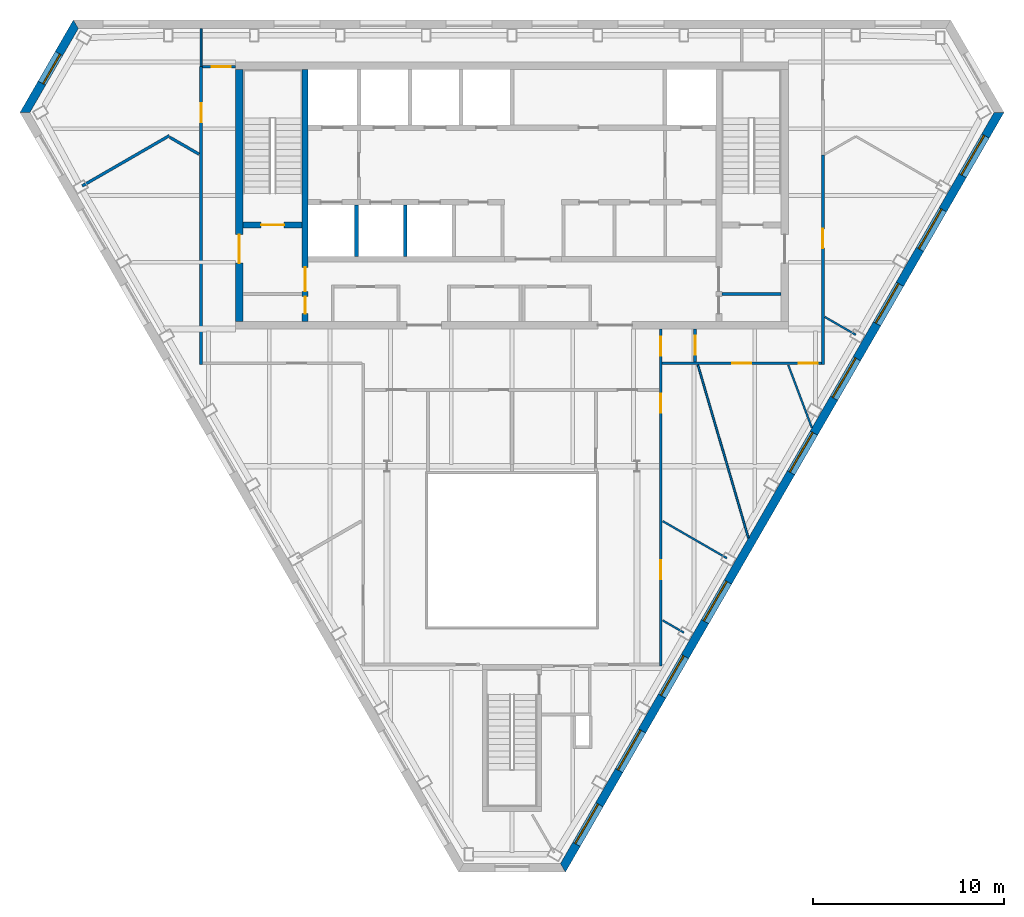
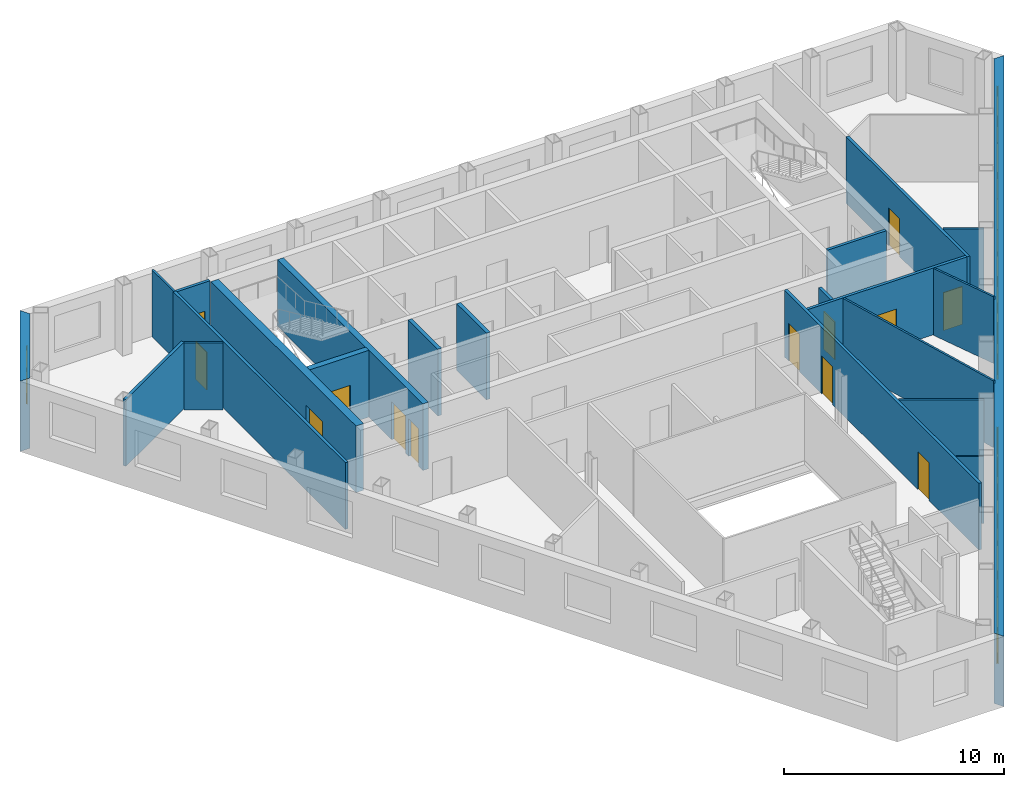
# One storey, part 5 of 10: 22 walls, 13 doors, 10 windows, 23 openings.
"""IFC4 building model written with IfcOpenShell, lengths in metres."""

import ifcopenshell
import ifcopenshell.guid

model = None  # the IFC model being written
_history = None  # IfcOwnerHistory: only IFC2X3 demands one
_inside = {}  # id of a spatial element -> (the spatial element, [elements in it])
_under = {}  # id of a project, library or spatial element -> (it, [spatial elements below it])
_declared = {}  # id of a project -> (the project, [libraries it declares])
_typed = {}  # id of a type object -> (the type object, [elements of that type])
_made_of = {}  # id of a material, layer set ... -> (it, [elements and type objects made of it])


def new_model(schema):
    """Start an empty IFC model of exactly this schema.

    Asked for "IFC4X3", IfcOpenShell would pick the latest addendum, in which some entities
    have other attributes; the version numbers below select the first issue.
    IFC2X3 requires an IfcOwnerHistory on every rooted entity: one is made here for all.
    """
    global model, _history
    if schema == "IFC4X3":
        model = ifcopenshell.file(schema_version=(4, 3, 0, 0))
    else:
        model = ifcopenshell.file(schema=schema)
    _inside.clear()
    _under.clear()
    _declared.clear()
    _typed.clear()
    _made_of.clear()
    _history = None
    if model.schema == "IFC2X3":
        org = make("IfcOrganization", Name="unknown")
        user = make(
            "IfcPersonAndOrganization",
            ThePerson=make("IfcPerson", FamilyName="unknown"),
            TheOrganization=org,
        )
        app = make(
            "IfcApplication",
            ApplicationDeveloper=org,
            Version="unknown",
            ApplicationFullName="unknown",
            ApplicationIdentifier="unknown",
        )
        _history = make(
            "IfcOwnerHistory",
            OwningUser=user,
            OwningApplication=app,
            ChangeAction="ADDED",
            CreationDate=0,
        )
    return model


def make(cls, **values):
    """One entity of the class cls with the attributes given. An attribute that is None is left unset."""
    return model.create_entity(
        cls, **{name: value for name, value in values.items() if value is not None}
    )


def rooted(cls, **values):
    """An entity with a GlobalId (a new one), such as an element, a storey or a relation."""
    return make(cls, GlobalId=ifcopenshell.guid.new(), OwnerHistory=_history, **values)


def si_unit(unit_type, name, prefix=None):
    """IfcSIUnit, for example si_unit("LENGTHUNIT", "METRE", prefix="MILLI")."""
    return make("IfcSIUnit", UnitType=unit_type, Prefix=prefix, Name=name)


def assignment(units):
    """IfcUnitAssignment: the units of a project."""
    return None if units is None else make("IfcUnitAssignment", Units=units)


def point(xyz):
    """IfcCartesianPoint."""
    return None if xyz is None else make("IfcCartesianPoint", Coordinates=xyz)


def direction(xyz):
    """IfcDirection."""
    return None if xyz is None else make("IfcDirection", DirectionRatios=xyz)


def frame(location, z_axis=None, x_axis=None):
    """IfcAxis2Placement3D, a coordinate frame: its origin and axes. An axis left out is left unset."""
    return make(
        "IfcAxis2Placement3D",
        Location=point(location),
        Axis=direction(z_axis),
        RefDirection=direction(x_axis),
    )


def frame_2d(location, x_axis=None):
    """IfcAxis2Placement2D, a coordinate frame in the plane: its origin and x axis."""
    return make(
        "IfcAxis2Placement2D", Location=point(location), RefDirection=direction(x_axis)
    )


def origin():
    """The frame at (0, 0, 0) with its axes left unset."""
    return frame((0.0, 0.0, 0.0))


def place(relative_to, where):
    """IfcLocalPlacement: puts the frame where relative to a parent placement (None: the world)."""
    return make(
        "IfcLocalPlacement", PlacementRelTo=relative_to, RelativePlacement=where
    )


def context(
    kind, dimensions, precision=None, world=None, true_north=None, identifier=None
):
    """IfcGeometricRepresentationContext, for example the 3D "Model" context."""
    return make(
        "IfcGeometricRepresentationContext",
        ContextIdentifier=identifier,
        ContextType=kind,
        CoordinateSpaceDimension=dimensions,
        Precision=precision,
        WorldCoordinateSystem=world,
        TrueNorth=true_north,
    )


def subcontext(parent, identifier, kind, view, scale=None):
    """IfcGeometricRepresentationSubContext, for example "Body" below "Model"."""
    return make(
        "IfcGeometricRepresentationSubContext",
        ContextIdentifier=identifier,
        ContextType=kind,
        ParentContext=parent,
        TargetScale=scale,
        TargetView=view,
    )


def project(units=None, contexts=None):
    """IfcProject with its units and contexts."""
    return rooted(
        "IfcProject",
        Name="project",
        RepresentationContexts=contexts,
        UnitsInContext=assignment(units),
    )


def spatial(cls, under=None, at=None, **own):
    """A site, building, storey or space (cls), placed at a placement, below another one or the project."""
    s = rooted(cls, ObjectPlacement=at, **own)
    if under is not None:
        _under.setdefault(under.id(), (under, []))[1].append(s)
    return s


def polyline(points):
    """IfcPolyline through the points."""
    return make("IfcPolyline", Points=[point(p) for p in points])


def profile(cls, at=None, kind="AREA", **sizes):
    """A parametric profile (cls). Its sizes go by their IFC names, for example OverallWidth=200.0."""
    return make(cls, ProfileType=kind, Position=at, **sizes)


def rectangle(**sizes):
    """IfcRectangleProfileDef."""
    return profile("IfcRectangleProfileDef", **sizes)


def outline(outer, holes=None, kind="AREA"):
    """IfcArbitraryClosedProfileDef: a profile drawn as a closed curve; with holes, ...WithVoids."""
    if holes is None:
        return make("IfcArbitraryClosedProfileDef", ProfileType=kind, OuterCurve=outer)
    return make(
        "IfcArbitraryProfileDefWithVoids",
        ProfileType=kind,
        OuterCurve=outer,
        InnerCurves=holes,
    )


def extrude(swept, where, along, depth):
    """IfcExtrudedAreaSolid: the profile swept, set in the frame where, extruded along a direction by depth."""
    return make(
        "IfcExtrudedAreaSolid",
        SweptArea=swept,
        Position=where,
        ExtrudedDirection=direction(along),
        Depth=depth,
    )


def shape(context_of_items, identifier, shape_type, items):
    """IfcShapeRepresentation: the items that make up one representation, for example the "Body"."""
    return make(
        "IfcShapeRepresentation",
        ContextOfItems=context_of_items,
        RepresentationIdentifier=identifier,
        RepresentationType=shape_type,
        Items=items,
    )


def material(Name=None, Category=None):
    """IfcMaterial."""
    return make("IfcMaterial", Name=Name, Category=Category)


def layer(
    of_material, thickness, ventilated=None, Name=None, Category=None, Priority=None
):
    """IfcMaterialLayer: one layer of a wall or slab, of a material (None: an air gap)."""
    return make(
        "IfcMaterialLayer",
        Material=of_material,
        LayerThickness=thickness,
        IsVentilated=ventilated,
        Name=Name,
        Category=Category,
        Priority=Priority,
    )


def layer_set(layers, Name=None):
    """IfcMaterialLayerSet."""
    return make("IfcMaterialLayerSet", MaterialLayers=layers, LayerSetName=Name)


def made_of(thing, what):
    """Note that an element or type object is made of a material, layer set ...; save() writes the relation."""
    if what is not None:
        _made_of.setdefault(what.id(), (what, []))[1].append(thing)
    return thing


def type_object(cls, material=None, **own):
    """A type object (cls), such as IfcWallType, which elements share."""
    return made_of(rooted(cls, **own), material)


def element(
    cls,
    number,
    at=None,
    inside=None,
    cuts=None,
    type_object=None,
    material=None,
    context=None,
    identifier="Body",
    shape_type=None,
    held_by="IfcProductDefinitionShape",
    body=None,
    shapes=None,
    **own,
):
    """One element of the class cls, such as IfcWall. Its Tag is "e" and its number.

    at: its placement. inside: the storey or other place that contains it. cuts: it is an
    opening in that element (IfcRelVoidsElement). A single representation is given by context,
    identifier, shape_type and body (its items); several are given by shapes. held_by: the class
    of the entity that holds the representations. save() writes the other relations.
    """
    e = rooted(cls, Tag="e%d" % number, ObjectPlacement=at, **own)
    if body is not None:
        shapes = [shape(context, identifier, shape_type, body)]
    if shapes is not None:
        e.Representation = make(held_by, Representations=shapes)
    if inside is not None:
        _inside.setdefault(inside.id(), (inside, []))[1].append(e)
    if cuts is not None:
        rooted(
            "IfcRelVoidsElement", RelatingBuildingElement=cuts, RelatedOpeningElement=e
        )
    if type_object is not None:
        _typed.setdefault(type_object.id(), (type_object, []))[1].append(e)
    return made_of(e, material)


def fill(opening, filler):
    """IfcRelFillsElement: the door or window that sits in an opening."""
    return rooted(
        "IfcRelFillsElement",
        RelatingOpeningElement=opening,
        RelatedBuildingElement=filler,
    )


def aggregate(whole, parts):
    """IfcRelAggregates: a whole, such as a stair, and the parts it consists of."""
    return rooted("IfcRelAggregates", RelatingObject=whole, RelatedObjects=parts)


def save(model, path):
    """Write the relations noted so far, then the file.

    IfcRelAggregates (storeys below a building ...), IfcRelContainedInSpatialStructure (elements
    in a storey), IfcRelDefinesByType, IfcRelAssociatesMaterial and IfcRelDeclares: one each for
    every whole, place, type object, material and project.
    """
    for whole, parts in _under.values():
        aggregate(whole, parts)
    for where, things in _inside.values():
        rooted(
            "IfcRelContainedInSpatialStructure",
            RelatedElements=things,
            RelatingStructure=where,
        )
    for kind, things in _typed.values():
        rooted("IfcRelDefinesByType", RelatedObjects=things, RelatingType=kind)
    for what, things in _made_of.values():
        rooted("IfcRelAssociatesMaterial", RelatedObjects=things, RelatingMaterial=what)
    for by, libraries in _declared.values():
        rooted("IfcRelDeclares", RelatingContext=by, RelatedDefinitions=libraries)
    model.write(path)


model = new_model("IFC4")

# Units and contexts
model_context = context("Model", 3, precision=1e-05, world=origin(), true_north=direction((0.0, 1.0)))
body_context = subcontext(model_context, "Body", "Model", "MODEL_VIEW")
ifc_project = project(units=[si_unit("LENGTHUNIT", "METRE"), si_unit("AREAUNIT", "SQUARE_METRE"), si_unit("VOLUMEUNIT", "CUBIC_METRE"), si_unit("PLANEANGLEUNIT", "RADIAN"), si_unit("MASSUNIT", "GRAM", prefix="KILO")], contexts=[model_context])

# Site, building, storey
site_placement = place(None, origin())
site = spatial("IfcSite", under=ifc_project, at=site_placement, CompositionType="ELEMENT")
building_placement = place(site_placement, origin())
building = spatial("IfcBuilding", under=site, at=building_placement, Name="Njiva Tower", CompositionType="ELEMENT")
storey_placement = place(building_placement, frame((0.0, 0.0, 272.7)))
storey = spatial("IfcBuildingStorey", under=building, at=storey_placement, Name="L62", CompositionType="ELEMENT", Elevation=272.7)

# Wall
ifc_material_1 = material(Name="Blockwork", Category="masonry")
ifc_layer_1 = layer(ifc_material_1, 0.15)
ifc_layer_set_1 = layer_set([ifc_layer_1], Name="Blockwork")
wall_type_1 = type_object("IfcWallType", Name="WT1 Compartment partition 150", PredefinedType="PARTITIONING", material=ifc_layer_set_1)
wall_1_placement = place(storey_placement, frame((11.0, 5.825, 0.0), z_axis=(0.0, 0.0, 1.0), x_axis=(1.0, 0.0, 0.0)))
element("IfcWall", 1, at=wall_1_placement, inside=storey, type_object=wall_type_1, Name="Room wall B", PredefinedType="PARTITIONING", context=body_context, shape_type="SweptSolid", body=[
    extrude(rectangle(XDim=3.1, YDim=0.15, at=frame_2d((1.55, 0.0))), origin(), (0.0, 0.0, 1.0), 3.7),
])

# Wall, openings, doors
ifc_material_2 = material(Name="Concrete C40/50", Category="concrete")
ifc_layer_2 = layer(ifc_material_2, 0.3)
ifc_layer_set_2 = layer_set([ifc_layer_2], Name="Concrete C40/50")
wall_type_2 = type_object("IfcWallType", Name="WT10 Stair enclosure wall 300", PredefinedType="SHEAR", material=ifc_layer_set_2)
wall_2_placement = place(storey_placement, frame((-10.85, 4.4, 0.0), z_axis=(0.0, 0.0, 1.0), x_axis=(0.0, 1.0, 0.0)))
wall_2 = element("IfcWall", 2, at=wall_2_placement, inside=storey, type_object=wall_type_2, Name="Stair wall west inner", PredefinedType="SHEAR", context=body_context, shape_type="SweptSolid", body=[
    extrude(rectangle(XDim=13.2, YDim=0.3, at=frame_2d((6.6, 0.0))), origin(), (0.0, 0.0, 1.0), 3.7),
])
opening_1_placement = place(wall_2_placement, frame((1.575, 0.0, 0.0)))
opening_1 = element("IfcOpeningElement", 3, at=opening_1_placement, cuts=wall_2, Name="Opening S20-D916", PredefinedType="OPENING", context=body_context, shape_type="SweptSolid", body=[
    extrude(rectangle(XDim=1.25, YDim=2.1, at=frame_2d((0.625, 1.05))), frame((0.0, 0.16, 0.0), z_axis=(0.0, -1.0, 0.0), x_axis=(1.0, 0.0, 0.0)), (0.0, 0.0, 1.0), 0.32),
])
opening_2_placement = place(wall_2_placement, frame((0.4, 0.0, 0.0)))
opening_2 = element("IfcOpeningElement", 4, at=opening_2_placement, cuts=wall_2, Name="Opening S20-D918", PredefinedType="OPENING", context=body_context, shape_type="SweptSolid", body=[
    extrude(rectangle(XDim=0.9, YDim=2.1, at=frame_2d((0.45, 1.05))), frame((0.0, 0.16, 0.0), z_axis=(0.0, -1.0, 0.0), x_axis=(1.0, 0.0, 0.0)), (0.0, 0.0, 1.0), 0.32),
])
ifc_material_3 = material(Name="Steel door, painted", Category="steel")
door_type_1 = type_object("IfcDoorType", Name="D13 Steel door 900x2100", OperationType="SINGLE_SWING_LEFT", PredefinedType="DOOR", material=ifc_material_3)
door_1_placement = place(opening_2_placement, origin())
door_1 = element("IfcDoor", 5, at=door_1_placement, inside=storey, type_object=door_type_1, Name="Quiet room door", OperationType="SINGLE_SWING_RIGHT", OverallHeight=2.1, OverallWidth=0.9, PredefinedType="DOOR", context=body_context, shape_type="SweptSolid", body=[
    extrude(rectangle(XDim=0.9, YDim=2.1, at=frame_2d((0.45, 1.05))), frame((0.0, 0.025, 0.0), z_axis=(0.0, -1.0, 0.0), x_axis=(1.0, 0.0, 0.0)), (0.0, 0.0, 1.0), 0.05),
])
fill(opening_2, door_1)
ifc_material_4 = material(Name="Glazed steel fire door", Category="steel")
door_type_2 = type_object("IfcDoorType", Name="D8 Vestibule corridor door 1250x2100 glazed", OperationType="SINGLE_SWING_LEFT", PredefinedType="DOOR", material=ifc_material_4)
door_2_placement = place(opening_1_placement, origin())
door_2 = element("IfcDoor", 6, at=door_2_placement, inside=storey, type_object=door_type_2, Name="Stair vestibule corridor door", OperationType="SINGLE_SWING_LEFT", OverallHeight=2.1, OverallWidth=1.25, PredefinedType="DOOR", context=body_context, shape_type="SweptSolid", body=[
    extrude(rectangle(XDim=1.25, YDim=2.1, at=frame_2d((0.625, 1.05))), frame((0.0, 0.025, 0.0), z_axis=(0.0, -1.0, 0.0), x_axis=(1.0, 0.0, 0.0)), (0.0, 0.0, 1.0), 0.05),
])
fill(opening_1, door_2)

# Wall, opening, door
wall_3_placement = place(storey_placement, frame((-14.1, 9.45, 0.0), z_axis=(0.0, 0.0, 1.0), x_axis=(1.0, 0.0, 0.0)))
wall_3 = element("IfcWall", 7, at=wall_3_placement, inside=storey, type_object=wall_type_2, Name="Stair A south wall", PredefinedType="SHEAR", context=body_context, shape_type="SweptSolid", body=[
    extrude(rectangle(XDim=3.1, YDim=0.3, at=frame_2d((1.55, 0.0))), origin(), (0.0, 0.0, 1.0), 3.7),
])
opening_3_placement = place(wall_3_placement, frame((0.95, 0.0, 0.0)))
opening_3 = element("IfcOpeningElement", 8, at=opening_3_placement, cuts=wall_3, Name="Opening S20-D915", PredefinedType="OPENING", context=body_context, shape_type="SweptSolid", body=[
    extrude(rectangle(XDim=1.2, YDim=2.1, at=frame_2d((0.6, 1.05))), frame((0.0, 0.16, 0.0), z_axis=(0.0, -1.0, 0.0), x_axis=(1.0, 0.0, 0.0)), (0.0, 0.0, 1.0), 0.32),
])
door_type_3 = type_object("IfcDoorType", Name="D7 Stair vestibule door 1200x2100 glazed", OperationType="SINGLE_SWING_LEFT", PredefinedType="DOOR", material=ifc_material_4)
door_3_placement = place(opening_3_placement, origin())
door_3 = element("IfcDoor", 9, at=door_3_placement, inside=storey, type_object=door_type_3, Name="Stair A door", OperationType="SINGLE_SWING_LEFT", OverallHeight=2.1, OverallWidth=1.2, PredefinedType="DOOR", context=body_context, shape_type="SweptSolid", body=[
    extrude(rectangle(XDim=1.2, YDim=2.1, at=frame_2d((0.6, 1.05))), frame((0.0, 0.025, 0.0), z_axis=(0.0, -1.0, 0.0), x_axis=(1.0, 0.0, 0.0)), (0.0, 0.0, 1.0), 0.05),
])
fill(opening_3, door_3)

ifc_material_5 = material(Name="Concrete C60/75", Category="concrete")
ifc_layer_3 = layer(ifc_material_5, 0.4)
ifc_layer_set_3 = layer_set([ifc_layer_3], Name="Concrete C60/75")
wall_type_3 = type_object("IfcWallType", Name="WT11 Core wall 400", PredefinedType="SHEAR", material=ifc_layer_set_3)
wall_4_placement = place(storey_placement, frame((-14.3, 4.4, 0.0), z_axis=(0.0, 0.0, 1.0), x_axis=(0.0, 1.0, 0.0)))
wall_4 = element("IfcWall", 10, at=wall_4_placement, inside=storey, type_object=wall_type_3, Name="Core wall west", PredefinedType="SHEAR", context=body_context, shape_type="SweptSolid", body=[
    extrude(rectangle(XDim=13.2, YDim=0.4, at=frame_2d((6.6, 0.0))), origin(), (0.0, 0.0, 1.0), 3.7),
])
opening_4_placement = place(wall_4_placement, frame((3.05, 0.0, 0.0)))
opening_4 = element("IfcOpeningElement", 11, at=opening_4_placement, cuts=wall_4, Name="Opening S20-D917", PredefinedType="OPENING", context=body_context, shape_type="SweptSolid", body=[
    extrude(rectangle(XDim=1.5, YDim=2.1, at=frame_2d((0.75, 1.05))), frame((0.0, 0.21, 0.0), z_axis=(0.0, -1.0, 0.0), x_axis=(1.0, 0.0, 0.0)), (0.0, 0.0, 1.0), 0.42),
])
door_type_4 = type_object("IfcDoorType", Name="D10 Exit door double 1500x2100 glazed", OperationType="DOUBLE_DOOR_SINGLE_SWING", PredefinedType="DOOR", material=ifc_material_4)
door_4_placement = place(opening_4_placement, origin())
door_4 = element("IfcDoor", 12, at=door_4_placement, inside=storey, type_object=door_type_4, Name="Stair A corridor door", OperationType="DOUBLE_DOOR_SINGLE_SWING", OverallHeight=2.1, OverallWidth=1.5, PredefinedType="DOOR", context=body_context, shape_type="SweptSolid", body=[
    extrude(rectangle(XDim=1.5, YDim=2.1, at=frame_2d((0.75, 1.05))), frame((0.0, 0.025, 0.0), z_axis=(0.0, -1.0, 0.0), x_axis=(1.0, 0.0, 0.0)), (0.0, 0.0, 1.0), 0.05),
])
fill(opening_4, door_4)

# Walls
ifc_material_6 = material(Name="Gypsum board on steel studs", Category="gypsum")
ifc_layer_4 = layer(ifc_material_6, 0.1)
ifc_layer_set_4 = layer_set([ifc_layer_4], Name="Gypsum board on steel studs")
wall_type_4 = type_object("IfcWallType", Name="WT20 Gypsum partition 100", PredefinedType="PARTITIONING", material=ifc_layer_set_4)
wall_5_placement = place(storey_placement, frame((-16.3, 17.762, 0.0), z_axis=(0.0, 0.0, 1.0), x_axis=(0.0, 1.0, 0.0)))
element("IfcWall", 13, at=wall_5_placement, inside=storey, type_object=wall_type_4, Name="Partition S20-P004", PredefinedType="PARTITIONING", context=body_context, shape_type="SweptSolid", body=[
    extrude(rectangle(XDim=1.988, YDim=0.1, at=frame_2d((0.994, 0.0))), origin(), (0.0, 0.0, 1.0), 3.7),
])
wall_6_placement = place(storey_placement, frame((7.9, -6.077, 0.0), z_axis=(0.0, 0.0, 1.0), x_axis=(0.86601853819, -0.50001189137, 0.0)))
element("IfcWall", 14, at=wall_6_placement, inside=storey, type_object=wall_type_4, Name="Partition S20-P018", PredefinedType="PARTITIONING", context=body_context, shape_type="SweptSolid", body=[
    extrude(rectangle(XDim=3.8879, YDim=0.1, at=frame_2d((1.944, 0.0))), origin(), (0.0, 0.0, 1.0), 3.7),
])
wall_7_placement = place(storey_placement, frame((7.9, -11.283, 0.0), z_axis=(0.0, 0.0, 1.0), x_axis=(0.865887538919, -0.500238712961, 0.0)))
element("IfcWall", 15, at=wall_7_placement, inside=storey, type_object=wall_type_4, Name="Partition S20-P019", PredefinedType="PARTITIONING", context=body_context, shape_type="SweptSolid", body=[
    extrude(rectangle(XDim=1.2854, YDim=0.1, at=frame_2d((0.6427, 0.0))), origin(), (0.0, 0.0, 1.0), 3.7),
])
wall_8_placement = place(storey_placement, frame((9.749, 2.111, 0.0), z_axis=(0.0, 0.0, 1.0), x_axis=(0.280109672534, -0.95996800538, 0.0)))
element("IfcWall", 16, at=wall_8_placement, inside=storey, type_object=wall_type_4, Name="Partition S20-P021", PredefinedType="PARTITIONING", context=body_context, shape_type="SweptSolid", body=[
    extrude(rectangle(XDim=9.4534, YDim=0.1, at=frame_2d((4.7267, 0.0))), origin(), (0.0, 0.0, 1.0), 3.7),
])
wall_9_placement = place(storey_placement, frame((14.487, 2.107, 0.0), z_axis=(0.0, 0.0, 1.0), x_axis=(0.352242085743, -0.935908923471, 0.0)))
element("IfcWall", 17, at=wall_9_placement, inside=storey, type_object=wall_type_4, Name="Partition S20-P023", PredefinedType="PARTITIONING", context=body_context, shape_type="SweptSolid", body=[
    extrude(rectangle(XDim=3.526, YDim=0.1, at=frame_2d((1.763, 0.0))), origin(), (0.0, 0.0, 1.0), 3.7),
])
wall_10_placement = place(storey_placement, frame((16.4, 4.63, 0.0), z_axis=(0.0, 0.0, 1.0), x_axis=(0.866141323391, -0.49979916758, 0.0)))
element("IfcWall", 18, at=wall_10_placement, inside=storey, type_object=wall_type_4, Name="Partition S20-P026", PredefinedType="PARTITIONING", context=body_context, shape_type="SweptSolid", body=[
    extrude(rectangle(XDim=1.8808, YDim=0.1, at=frame_2d((0.9404, 0.0))), origin(), (0.0, 0.0, 1.0), 3.7),
])
ifc_layer_5 = layer(ifc_material_6, 0.15)
ifc_layer_set_5 = layer_set([ifc_layer_5], Name="Gypsum board on steel studs")
wall_type_5 = type_object("IfcWallType", Name="WT21 Compartment wall 150", PredefinedType="PARTITIONING", material=ifc_layer_set_5)
wall_11_placement = place(storey_placement, frame((-22.537, 11.498, 0.0), z_axis=(0.0, 0.0, 1.0), x_axis=(0.866147719825, 0.499788082533, 0.0)))
element("IfcWall", 19, at=wall_11_placement, inside=storey, type_object=wall_type_5, Name="Partition S20-P001", PredefinedType="PARTITIONING", context=body_context, shape_type="SweptSolid", body=[
    extrude(rectangle(XDim=5.2762, YDim=0.15, at=frame_2d((2.6381, 0.0))), origin(), (0.0, 0.0, 1.0), 3.7),
])
wall_12_placement = place(storey_placement, frame((-17.943, 14.047, 0.0), z_axis=(0.0, 0.0, 1.0), x_axis=(0.866251516137, -0.49960815725, 0.0)))
element("IfcWall", 20, at=wall_12_placement, inside=storey, type_object=wall_type_5, Name="Partition S20-P002", PredefinedType="PARTITIONING", context=body_context, shape_type="SweptSolid", body=[
    extrude(rectangle(XDim=1.7674, YDim=0.15, at=frame_2d((0.8837, 0.0))), origin(), (0.0, 0.0, 1.0), 3.7),
])

# Wall, opening, door
wall_13_placement = place(storey_placement, frame((-16.3, 2.125, 0.0), z_axis=(0.0, 0.0, 1.0), x_axis=(0.0, 1.0, 0.0)))
wall_13 = element("IfcWall", 21, at=wall_13_placement, inside=storey, type_object=wall_type_5, Name="Partition S20-P003", PredefinedType="PARTITIONING", context=body_context, shape_type="SweptSolid", body=[
    extrude(rectangle(XDim=15.637, YDim=0.15, at=frame_2d((7.8185, 0.0))), origin(), (0.0, 0.0, 1.0), 3.7),
])
opening_5_placement = place(wall_13_placement, frame((12.705, 0.0, 0.0)))
opening_5 = element("IfcOpeningElement", 22, at=opening_5_placement, cuts=wall_13, Name="Opening S20-D001", PredefinedType="OPENING", context=body_context, shape_type="SweptSolid", body=[
    extrude(rectangle(XDim=1.0, YDim=2.1, at=frame_2d((0.5, 1.05))), frame((0.0, 0.085, 0.0), z_axis=(0.0, -1.0, 0.0), x_axis=(1.0, 0.0, 0.0)), (0.0, 0.0, 1.0), 0.17),
])
ifc_material_7 = material(Name="Steel fire door set", Category="steel")
door_type_5 = type_object("IfcDoorType", Name="D37 Fire door 1000x2100", OperationType="SINGLE_SWING_LEFT", PredefinedType="DOOR", material=ifc_material_7)
door_5_placement = place(opening_5_placement, origin())
door_5 = element("IfcDoor", 23, at=door_5_placement, inside=storey, type_object=door_type_5, Name="Door S20-D001", OperationType="SINGLE_SWING_LEFT", OverallHeight=2.1, OverallWidth=1.0, PredefinedType="DOOR", context=body_context, shape_type="SweptSolid", body=[
    extrude(rectangle(XDim=1.0, YDim=2.1, at=frame_2d((0.5, 1.05))), frame((0.0, 0.025, 0.0), z_axis=(0.0, -1.0, 0.0), x_axis=(1.0, 0.0, 0.0)), (0.0, 0.0, 1.0), 0.05),
])
fill(opening_5, door_5)

wall_14_placement = place(storey_placement, frame((-16.225, 17.75, 0.0), z_axis=(0.0, 0.0, 1.0), x_axis=(1.0, 0.0, 0.0)))
wall_14 = element("IfcWall", 24, at=wall_14_placement, inside=storey, type_object=wall_type_5, Name="Partition S20-P006", PredefinedType="PARTITIONING", context=body_context, shape_type="SweptSolid", body=[
    extrude(rectangle(XDim=1.725, YDim=0.15, at=frame_2d((0.8625, 0.0))), origin(), (0.0, 0.0, 1.0), 3.7),
])
opening_6_placement = place(wall_14_placement, frame((0.471, 0.0, 0.0)))
opening_6 = element("IfcOpeningElement", 25, at=opening_6_placement, cuts=wall_14, Name="Opening S20-D003", PredefinedType="OPENING", context=body_context, shape_type="SweptSolid", body=[
    extrude(rectangle(XDim=1.0, YDim=2.1, at=frame_2d((0.5, 1.05))), frame((0.0, 0.085, 0.0), z_axis=(0.0, -1.0, 0.0), x_axis=(1.0, 0.0, 0.0)), (0.0, 0.0, 1.0), 0.17),
])
door_6_placement = place(opening_6_placement, origin())
door_6 = element("IfcDoor", 26, at=door_6_placement, inside=storey, type_object=door_type_5, Name="Door S20-D003", OperationType="SINGLE_SWING_LEFT", OverallHeight=2.1, OverallWidth=1.0, PredefinedType="DOOR", context=body_context, shape_type="SweptSolid", body=[
    extrude(rectangle(XDim=1.0, YDim=2.1, at=frame_2d((0.5, 1.05))), frame((0.0, 0.025, 0.0), z_axis=(0.0, -1.0, 0.0), x_axis=(1.0, 0.0, 0.0)), (0.0, 0.0, 1.0), 0.05),
])
fill(opening_6, door_6)

# Wall, openings, doors
wall_15_placement = place(storey_placement, frame((7.8, -13.675, 0.0), z_axis=(0.0, 0.0, 1.0), x_axis=(0.0, 1.0, 0.0)))
wall_15 = element("IfcWall", 27, at=wall_15_placement, inside=storey, type_object=wall_type_5, Name="Partition S20-P016", PredefinedType="PARTITIONING", context=body_context, shape_type="SweptSolid", body=[
    extrude(rectangle(XDim=17.675, YDim=0.15, at=frame_2d((8.8375, 0.0))), origin(), (0.0, 0.0, 1.0), 3.7),
])
opening_7_placement = place(wall_15_placement, frame((4.552, 0.0, 0.0)))
opening_7 = element("IfcOpeningElement", 28, at=opening_7_placement, cuts=wall_15, Name="Opening S20-D011", PredefinedType="OPENING", context=body_context, shape_type="SweptSolid", body=[
    extrude(rectangle(XDim=1.0, YDim=2.1, at=frame_2d((0.5, 1.05))), frame((0.0, 0.085, 0.0), z_axis=(0.0, -1.0, 0.0), x_axis=(1.0, 0.0, 0.0)), (0.0, 0.0, 1.0), 0.17),
])
opening_8_placement = place(wall_15_placement, frame((13.287, 0.0, 0.0)))
opening_8 = element("IfcOpeningElement", 29, at=opening_8_placement, cuts=wall_15, Name="Opening S20-D012", PredefinedType="OPENING", context=body_context, shape_type="SweptSolid", body=[
    extrude(rectangle(XDim=1.0, YDim=2.1, at=frame_2d((0.5, 1.05))), frame((0.0, 0.085, 0.0), z_axis=(0.0, -1.0, 0.0), x_axis=(1.0, 0.0, 0.0)), (0.0, 0.0, 1.0), 0.17),
])
opening_9_placement = place(wall_15_placement, frame((16.275, 0.0, 0.0)))
opening_9 = element("IfcOpeningElement", 30, at=opening_9_placement, cuts=wall_15, Name="Opening S20-D013", PredefinedType="OPENING", context=body_context, shape_type="SweptSolid", body=[
    extrude(rectangle(XDim=1.0, YDim=2.1, at=frame_2d((0.5, 1.05))), frame((0.0, 0.085, 0.0), z_axis=(0.0, -1.0, 0.0), x_axis=(1.0, 0.0, 0.0)), (0.0, 0.0, 1.0), 0.17),
])
door_7_placement = place(opening_7_placement, origin())
door_7 = element("IfcDoor", 31, at=door_7_placement, inside=storey, type_object=door_type_5, Name="Door S20-D011", OperationType="SINGLE_SWING_LEFT", OverallHeight=2.1, OverallWidth=1.0, PredefinedType="DOOR", context=body_context, shape_type="SweptSolid", body=[
    extrude(rectangle(XDim=1.0, YDim=2.1, at=frame_2d((0.5, 1.05))), frame((0.0, 0.025, 0.0), z_axis=(0.0, -1.0, 0.0), x_axis=(1.0, 0.0, 0.0)), (0.0, 0.0, 1.0), 0.05),
])
fill(opening_7, door_7)
door_8_placement = place(opening_8_placement, origin())
door_8 = element("IfcDoor", 32, at=door_8_placement, inside=storey, type_object=door_type_5, Name="Door S20-D012", OperationType="SINGLE_SWING_RIGHT", OverallHeight=2.1, OverallWidth=1.0, PredefinedType="DOOR", context=body_context, shape_type="SweptSolid", body=[
    extrude(rectangle(XDim=1.0, YDim=2.1, at=frame_2d((0.5, 1.05))), frame((0.0, 0.025, 0.0), z_axis=(0.0, -1.0, 0.0), x_axis=(1.0, 0.0, 0.0)), (0.0, 0.0, 1.0), 0.05),
])
fill(opening_8, door_8)
door_9_placement = place(opening_9_placement, origin())
door_9 = element("IfcDoor", 33, at=door_9_placement, inside=storey, type_object=door_type_5, Name="Door S20-D013", OperationType="SINGLE_SWING_RIGHT", OverallHeight=2.1, OverallWidth=1.0, PredefinedType="DOOR", context=body_context, shape_type="SweptSolid", body=[
    extrude(rectangle(XDim=1.0, YDim=2.1, at=frame_2d((0.5, 1.05))), frame((0.0, 0.025, 0.0), z_axis=(0.0, -1.0, 0.0), x_axis=(1.0, 0.0, 0.0)), (0.0, 0.0, 1.0), 0.05),
])
fill(opening_9, door_9)

wall_16_placement = place(storey_placement, frame((7.875, 2.2, 0.0), z_axis=(0.0, 0.0, 1.0), x_axis=(1.0, 0.0, 0.0)))
wall_16 = element("IfcWall", 34, at=wall_16_placement, inside=storey, type_object=wall_type_5, Name="Partition S20-P017", PredefinedType="PARTITIONING", context=body_context, shape_type="SweptSolid", body=[
    extrude(rectangle(XDim=8.35, YDim=0.15, at=frame_2d((4.175, 0.0))), origin(), (0.0, 0.0, 1.0), 3.7),
])
opening_10_placement = place(wall_16_placement, frame((3.662, 0.0, 0.0)))
opening_10 = element("IfcOpeningElement", 35, at=opening_10_placement, cuts=wall_16, Name="Opening S20-D014", PredefinedType="OPENING", context=body_context, shape_type="SweptSolid", body=[
    extrude(rectangle(XDim=1.0, YDim=2.1, at=frame_2d((0.5, 1.05))), frame((0.0, 0.085, 0.0), z_axis=(0.0, -1.0, 0.0), x_axis=(1.0, 0.0, 0.0)), (0.0, 0.0, 1.0), 0.17),
])
opening_11_placement = place(wall_16_placement, frame((7.15, 0.0, 0.0)))
opening_11 = element("IfcOpeningElement", 36, at=opening_11_placement, cuts=wall_16, Name="Opening S20-D015", PredefinedType="OPENING", context=body_context, shape_type="SweptSolid", body=[
    extrude(rectangle(XDim=1.0, YDim=2.1, at=frame_2d((0.5, 1.05))), frame((0.0, 0.085, 0.0), z_axis=(0.0, -1.0, 0.0), x_axis=(1.0, 0.0, 0.0)), (0.0, 0.0, 1.0), 0.17),
])
door_10_placement = place(opening_10_placement, origin())
door_10 = element("IfcDoor", 37, at=door_10_placement, inside=storey, type_object=door_type_5, Name="Door S20-D014", OperationType="SINGLE_SWING_LEFT", OverallHeight=2.1, OverallWidth=1.0, PredefinedType="DOOR", context=body_context, shape_type="SweptSolid", body=[
    extrude(rectangle(XDim=1.0, YDim=2.1, at=frame_2d((0.5, 1.05))), frame((0.0, 0.025, 0.0), z_axis=(0.0, -1.0, 0.0), x_axis=(1.0, 0.0, 0.0)), (0.0, 0.0, 1.0), 0.05),
])
fill(opening_10, door_10)
door_11_placement = place(opening_11_placement, origin())
door_11 = element("IfcDoor", 38, at=door_11_placement, inside=storey, type_object=door_type_5, Name="Door S20-D015", OperationType="SINGLE_SWING_RIGHT", OverallHeight=2.1, OverallWidth=1.0, PredefinedType="DOOR", context=body_context, shape_type="SweptSolid", body=[
    extrude(rectangle(XDim=1.0, YDim=2.1, at=frame_2d((0.5, 1.05))), frame((0.0, 0.025, 0.0), z_axis=(0.0, -1.0, 0.0), x_axis=(1.0, 0.0, 0.0)), (0.0, 0.0, 1.0), 0.05),
])
fill(opening_11, door_11)

# Wall, opening, door
wall_17_placement = place(storey_placement, frame((9.6, 2.275, 0.0), z_axis=(0.0, 0.0, 1.0), x_axis=(0.0, 1.0, 0.0)))
wall_17 = element("IfcWall", 39, at=wall_17_placement, inside=storey, type_object=wall_type_5, Name="Partition S20-P020", PredefinedType="PARTITIONING", context=body_context, shape_type="SweptSolid", body=[
    extrude(rectangle(XDim=1.725, YDim=0.15, at=frame_2d((0.8625, 0.0))), origin(), (0.0, 0.0, 1.0), 3.2),
])
opening_12_placement = place(wall_17_placement, frame((0.362, 0.0, 0.0)))
opening_12 = element("IfcOpeningElement", 40, at=opening_12_placement, cuts=wall_17, Name="Opening S20-D016", PredefinedType="OPENING", context=body_context, shape_type="SweptSolid", body=[
    extrude(rectangle(XDim=1.0, YDim=2.1, at=frame_2d((0.5, 1.05))), frame((0.0, 0.085, 0.0), z_axis=(0.0, -1.0, 0.0), x_axis=(1.0, 0.0, 0.0)), (0.0, 0.0, 1.0), 0.17),
])
door_12_placement = place(opening_12_placement, origin())
door_12 = element("IfcDoor", 41, at=door_12_placement, inside=storey, type_object=door_type_5, Name="Door S20-D016", OperationType="SINGLE_SWING_LEFT", OverallHeight=2.1, OverallWidth=1.0, PredefinedType="DOOR", context=body_context, shape_type="SweptSolid", body=[
    extrude(rectangle(XDim=1.0, YDim=2.1, at=frame_2d((0.5, 1.05))), frame((0.0, 0.025, 0.0), z_axis=(0.0, -1.0, 0.0), x_axis=(1.0, 0.0, 0.0)), (0.0, 0.0, 1.0), 0.05),
])
fill(opening_12, door_12)

wall_18_placement = place(storey_placement, frame((16.3, 2.125, 0.0), z_axis=(0.0, 0.0, 1.0), x_axis=(0.0, 1.0, 0.0)))
wall_18 = element("IfcWall", 42, at=wall_18_placement, inside=storey, type_object=wall_type_5, Name="Partition S20-P024", PredefinedType="PARTITIONING", context=body_context, shape_type="SweptSolid", body=[
    extrude(rectangle(XDim=10.985, YDim=0.15, at=frame_2d((5.4925, 0.0))), origin(), (0.0, 0.0, 1.0), 3.7),
])
opening_13_placement = place(wall_18_placement, frame((6.117, 0.0, 0.0)))
opening_13 = element("IfcOpeningElement", 43, at=opening_13_placement, cuts=wall_18, Name="Opening S20-D017", PredefinedType="OPENING", context=body_context, shape_type="SweptSolid", body=[
    extrude(rectangle(XDim=1.0, YDim=2.1, at=frame_2d((0.5, 1.05))), frame((0.0, 0.085, 0.0), z_axis=(0.0, -1.0, 0.0), x_axis=(1.0, 0.0, 0.0)), (0.0, 0.0, 1.0), 0.17),
])
door_13_placement = place(opening_13_placement, origin())
door_13 = element("IfcDoor", 44, at=door_13_placement, inside=storey, type_object=door_type_5, Name="Door S20-D017", OperationType="SINGLE_SWING_RIGHT", OverallHeight=2.1, OverallWidth=1.0, PredefinedType="DOOR", context=body_context, shape_type="SweptSolid", body=[
    extrude(rectangle(XDim=1.0, YDim=2.1, at=frame_2d((0.5, 1.05))), frame((0.0, 0.025, 0.0), z_axis=(0.0, -1.0, 0.0), x_axis=(1.0, 0.0, 0.0)), (0.0, 0.0, 1.0), 0.05),
])
fill(opening_13, door_13)

# Walls
ifc_layer_6 = layer(ifc_material_2, 0.2)
ifc_layer_set_6 = layer_set([ifc_layer_6], Name="Concrete C40/50")
wall_type_6 = type_object("IfcWallType", Name="WT6 Lift shaft wall 200", PredefinedType="SHEAR", material=ifc_layer_set_6)
for number, where, z_axis, x_axis, name in (
    (45, (-8.15, 7.8, 0.0), (0.0, 0.0, 1.0), (0.0, 1.0, 0.0), "Shaft wall CS1"),
    (46, (-5.6, 7.8, 0.0), (0.0, 0.0, 1.0), (0.0, 1.0, 0.0), "Shaft wall CS2"),
):
    element("IfcWall", number, at=place(storey_placement, frame(where, z_axis=z_axis, x_axis=x_axis)), inside=storey, type_object=wall_type_6, Name=name, PredefinedType="SHEAR", context=body_context, shape_type="SweptSolid", body=[
        extrude(rectangle(XDim=2.7, YDim=0.2, at=frame_2d((1.35, 0.0))), origin(), (0.0, 0.0, 1.0), 3.7),
    ])

# Wall, openings, windows
ifc_material_8 = material(Name="Brick masonry", Category="masonry")
ifc_layer_7 = layer(ifc_material_8, 0.45)
ifc_layer_set_7 = layer_set([ifc_layer_7], Name="Brick masonry")
wall_type_7 = type_object("IfcWallType", Name="WT90 Brick pier and spandrel wall 450", PredefinedType="SOLIDWALL", material=ifc_layer_set_7)
wall_19_placement = place(storey_placement, frame((2.6701, -24.2619, -0.4), z_axis=(0.0, 0.0, 1.0), x_axis=(0.499999764979, 0.866025539474, 0.0)))
wall_19 = element("IfcWall", 47, at=wall_19_placement, inside=storey, type_object=wall_type_7, Name="Facade wall SE", PredefinedType="SOLIDWALL", context=body_context, shape_type="SweptSolid", body=[
    extrude(outline(polyline([(-0.1299, -0.225), (45.8701, -0.225), (45.6103, 0.225), (0.1299, 0.225), (-0.1299, -0.225)])), origin(), (0.0, 0.0, 1.0), 3.9),
])
opening_14_placement = place(wall_19_placement, frame((1.4242, 0.0, 1.3)))
opening_14 = element("IfcOpeningElement", 48, at=opening_14_placement, cuts=wall_19, Name="Opening S20-W20", PredefinedType="OPENING", context=body_context, shape_type="SweptSolid", body=[
    extrude(rectangle(XDim=2.4, YDim=2.0, at=frame_2d((1.2, 1.0))), frame((0.0, 0.235, 0.0), z_axis=(0.0, -1.0, 0.0), x_axis=(1.0, 0.0, 0.0)), (0.0, 0.0, 1.0), 0.47),
])
opening_15_placement = place(wall_19_placement, frame((5.8934, 0.0, 1.3)))
opening_15 = element("IfcOpeningElement", 49, at=opening_15_placement, cuts=wall_19, Name="Opening S20-W21", PredefinedType="OPENING", context=body_context, shape_type="SweptSolid", body=[
    extrude(rectangle(XDim=2.4, YDim=2.0, at=frame_2d((1.2, 1.0))), frame((0.0, 0.235, 0.0), z_axis=(0.0, -1.0, 0.0), x_axis=(1.0, 0.0, 0.0)), (0.0, 0.0, 1.0), 0.47),
])
opening_16_placement = place(wall_19_placement, frame((10.401, 0.0, 1.3)))
opening_16 = element("IfcOpeningElement", 50, at=opening_16_placement, cuts=wall_19, Name="Opening S20-W22", PredefinedType="OPENING", context=body_context, shape_type="SweptSolid", body=[
    extrude(rectangle(XDim=2.4, YDim=2.0, at=frame_2d((1.2, 1.0))), frame((0.0, 0.235, 0.0), z_axis=(0.0, -1.0, 0.0), x_axis=(1.0, 0.0, 0.0)), (0.0, 0.0, 1.0), 0.47),
])
opening_17_placement = place(wall_19_placement, frame((14.9087, 0.0, 1.3)))
opening_17 = element("IfcOpeningElement", 51, at=opening_17_placement, cuts=wall_19, Name="Opening S20-W23", PredefinedType="OPENING", context=body_context, shape_type="SweptSolid", body=[
    extrude(rectangle(XDim=2.4, YDim=2.0, at=frame_2d((1.2, 1.0))), frame((0.0, 0.235, 0.0), z_axis=(0.0, -1.0, 0.0), x_axis=(1.0, 0.0, 0.0)), (0.0, 0.0, 1.0), 0.47),
])
opening_18_placement = place(wall_19_placement, frame((23.9239, 0.0, 1.3)))
opening_18 = element("IfcOpeningElement", 52, at=opening_18_placement, cuts=wall_19, Name="Opening S20-W24", PredefinedType="OPENING", context=body_context, shape_type="SweptSolid", body=[
    extrude(rectangle(XDim=2.4, YDim=2.0, at=frame_2d((1.2, 1.0))), frame((0.0, 0.235, 0.0), z_axis=(0.0, -1.0, 0.0), x_axis=(1.0, 0.0, 0.0)), (0.0, 0.0, 1.0), 0.47),
])
opening_19_placement = place(wall_19_placement, frame((28.4315, 0.0, 1.3)))
opening_19 = element("IfcOpeningElement", 53, at=opening_19_placement, cuts=wall_19, Name="Opening S20-W25", PredefinedType="OPENING", context=body_context, shape_type="SweptSolid", body=[
    extrude(rectangle(XDim=2.4, YDim=2.0, at=frame_2d((1.2, 1.0))), frame((0.0, 0.235, 0.0), z_axis=(0.0, -1.0, 0.0), x_axis=(1.0, 0.0, 0.0)), (0.0, 0.0, 1.0), 0.47),
])
opening_20_placement = place(wall_19_placement, frame((32.9391, 0.0, 1.3)))
opening_20 = element("IfcOpeningElement", 54, at=opening_20_placement, cuts=wall_19, Name="Opening S20-W26", PredefinedType="OPENING", context=body_context, shape_type="SweptSolid", body=[
    extrude(rectangle(XDim=2.4, YDim=2.0, at=frame_2d((1.2, 1.0))), frame((0.0, 0.235, 0.0), z_axis=(0.0, -1.0, 0.0), x_axis=(1.0, 0.0, 0.0)), (0.0, 0.0, 1.0), 0.47),
])
opening_21_placement = place(wall_19_placement, frame((37.4468, 0.0, 1.3)))
opening_21 = element("IfcOpeningElement", 55, at=opening_21_placement, cuts=wall_19, Name="Opening S20-W27", PredefinedType="OPENING", context=body_context, shape_type="SweptSolid", body=[
    extrude(rectangle(XDim=2.4, YDim=2.0, at=frame_2d((1.2, 1.0))), frame((0.0, 0.235, 0.0), z_axis=(0.0, -1.0, 0.0), x_axis=(1.0, 0.0, 0.0)), (0.0, 0.0, 1.0), 0.47),
])
opening_22_placement = place(wall_19_placement, frame((41.916, 0.0, 1.3)))
opening_22 = element("IfcOpeningElement", 56, at=opening_22_placement, cuts=wall_19, Name="Opening S20-W28", PredefinedType="OPENING", context=body_context, shape_type="SweptSolid", body=[
    extrude(rectangle(XDim=2.4, YDim=2.0, at=frame_2d((1.2, 1.0))), frame((0.0, 0.235, 0.0), z_axis=(0.0, -1.0, 0.0), x_axis=(1.0, 0.0, 0.0)), (0.0, 0.0, 1.0), 0.47),
])
ifc_material_9 = material(Name="Clear glazing in aluminium frame", Category="aluminium")
window_type_1 = type_object("IfcWindowType", Name="W90 Deep-set window 2400x2000", PartitioningType="SINGLE_PANEL", PredefinedType="WINDOW", material=ifc_material_9)
window_1_placement = place(opening_14_placement, origin())
window_1 = element("IfcWindow", 57, at=window_1_placement, inside=storey, type_object=window_type_1, Name="Window", OverallHeight=2.0, OverallWidth=2.4, PartitioningType="SINGLE_PANEL", PredefinedType="WINDOW", context=body_context, shape_type="SweptSolid", body=[
    extrude(rectangle(XDim=2.4, YDim=2.0, at=frame_2d((1.2, 1.0))), frame((0.0, 0.105, 0.0), z_axis=(0.0, -1.0, 0.0), x_axis=(1.0, 0.0, 0.0)), (0.0, 0.0, 1.0), 0.06),
])
fill(opening_14, window_1)
window_2_placement = place(opening_15_placement, origin())
window_2 = element("IfcWindow", 58, at=window_2_placement, inside=storey, type_object=window_type_1, Name="Window", OverallHeight=2.0, OverallWidth=2.4, PartitioningType="SINGLE_PANEL", PredefinedType="WINDOW", context=body_context, shape_type="SweptSolid", body=[
    extrude(rectangle(XDim=2.4, YDim=2.0, at=frame_2d((1.2, 1.0))), frame((0.0, 0.105, 0.0), z_axis=(0.0, -1.0, 0.0), x_axis=(1.0, 0.0, 0.0)), (0.0, 0.0, 1.0), 0.06),
])
fill(opening_15, window_2)
window_3_placement = place(opening_16_placement, origin())
window_3 = element("IfcWindow", 59, at=window_3_placement, inside=storey, type_object=window_type_1, Name="Window", OverallHeight=2.0, OverallWidth=2.4, PartitioningType="SINGLE_PANEL", PredefinedType="WINDOW", context=body_context, shape_type="SweptSolid", body=[
    extrude(rectangle(XDim=2.4, YDim=2.0, at=frame_2d((1.2, 1.0))), frame((0.0, 0.105, 0.0), z_axis=(0.0, -1.0, 0.0), x_axis=(1.0, 0.0, 0.0)), (0.0, 0.0, 1.0), 0.06),
])
fill(opening_16, window_3)
window_4_placement = place(opening_17_placement, origin())
window_4 = element("IfcWindow", 60, at=window_4_placement, inside=storey, type_object=window_type_1, Name="Window", OverallHeight=2.0, OverallWidth=2.4, PartitioningType="SINGLE_PANEL", PredefinedType="WINDOW", context=body_context, shape_type="SweptSolid", body=[
    extrude(rectangle(XDim=2.4, YDim=2.0, at=frame_2d((1.2, 1.0))), frame((0.0, 0.105, 0.0), z_axis=(0.0, -1.0, 0.0), x_axis=(1.0, 0.0, 0.0)), (0.0, 0.0, 1.0), 0.06),
])
fill(opening_17, window_4)
window_5_placement = place(opening_18_placement, origin())
window_5 = element("IfcWindow", 61, at=window_5_placement, inside=storey, type_object=window_type_1, Name="Window", OverallHeight=2.0, OverallWidth=2.4, PartitioningType="SINGLE_PANEL", PredefinedType="WINDOW", context=body_context, shape_type="SweptSolid", body=[
    extrude(rectangle(XDim=2.4, YDim=2.0, at=frame_2d((1.2, 1.0))), frame((0.0, 0.105, 0.0), z_axis=(0.0, -1.0, 0.0), x_axis=(1.0, 0.0, 0.0)), (0.0, 0.0, 1.0), 0.06),
])
fill(opening_18, window_5)
window_6_placement = place(opening_19_placement, origin())
window_6 = element("IfcWindow", 62, at=window_6_placement, inside=storey, type_object=window_type_1, Name="Window", OverallHeight=2.0, OverallWidth=2.4, PartitioningType="SINGLE_PANEL", PredefinedType="WINDOW", context=body_context, shape_type="SweptSolid", body=[
    extrude(rectangle(XDim=2.4, YDim=2.0, at=frame_2d((1.2, 1.0))), frame((0.0, 0.105, 0.0), z_axis=(0.0, -1.0, 0.0), x_axis=(1.0, 0.0, 0.0)), (0.0, 0.0, 1.0), 0.06),
])
fill(opening_19, window_6)
window_7_placement = place(opening_20_placement, origin())
window_7 = element("IfcWindow", 63, at=window_7_placement, inside=storey, type_object=window_type_1, Name="Window", OverallHeight=2.0, OverallWidth=2.4, PartitioningType="SINGLE_PANEL", PredefinedType="WINDOW", context=body_context, shape_type="SweptSolid", body=[
    extrude(rectangle(XDim=2.4, YDim=2.0, at=frame_2d((1.2, 1.0))), frame((0.0, 0.105, 0.0), z_axis=(0.0, -1.0, 0.0), x_axis=(1.0, 0.0, 0.0)), (0.0, 0.0, 1.0), 0.06),
])
fill(opening_20, window_7)
window_8_placement = place(opening_21_placement, origin())
window_8 = element("IfcWindow", 64, at=window_8_placement, inside=storey, type_object=window_type_1, Name="Window", OverallHeight=2.0, OverallWidth=2.4, PartitioningType="SINGLE_PANEL", PredefinedType="WINDOW", context=body_context, shape_type="SweptSolid", body=[
    extrude(rectangle(XDim=2.4, YDim=2.0, at=frame_2d((1.2, 1.0))), frame((0.0, 0.105, 0.0), z_axis=(0.0, -1.0, 0.0), x_axis=(1.0, 0.0, 0.0)), (0.0, 0.0, 1.0), 0.06),
])
fill(opening_21, window_8)
window_9_placement = place(opening_22_placement, origin())
window_9 = element("IfcWindow", 65, at=window_9_placement, inside=storey, type_object=window_type_1, Name="Window", OverallHeight=2.0, OverallWidth=2.4, PartitioningType="SINGLE_PANEL", PredefinedType="WINDOW", context=body_context, shape_type="SweptSolid", body=[
    extrude(rectangle(XDim=2.4, YDim=2.0, at=frame_2d((1.2, 1.0))), frame((0.0, 0.105, 0.0), z_axis=(0.0, -1.0, 0.0), x_axis=(1.0, 0.0, 0.0)), (0.0, 0.0, 1.0), 0.06),
])
fill(opening_22, window_9)

# Wall, opening, window
ifc_material_10 = material(Name="Brick masonry, buff", Category="masonry")
ifc_layer_8 = layer(ifc_material_10, 0.45)
ifc_layer_set_8 = layer_set([ifc_layer_8], Name="Brick masonry, buff")
wall_type_8 = type_object("IfcWallType", Name="WT94 Brick pier and spandrel wall 450, buff", PredefinedType="SOLIDWALL", material=ifc_layer_set_8)
wall_20_placement = place(storey_placement, frame((-22.8701, 19.975, -0.4), z_axis=(0.0, 0.0, 1.0), x_axis=(-0.500003961967, -0.866023116329, 0.0)))
wall_20 = element("IfcWall", 66, at=wall_20_placement, inside=storey, type_object=wall_type_8, Name="Facade wall NW", PredefinedType="SOLIDWALL", context=body_context, shape_type="SweptSolid", body=[
    extrude(outline(polyline([(-0.1299, -0.225), (5.4701, -0.225), (5.2103, 0.225), (0.1299, 0.225), (-0.1299, -0.225)])), origin(), (0.0, 0.0, 1.0), 3.9),
])
opening_23_placement = place(wall_20_placement, frame((1.7701, 0.0, 1.3)))
opening_23 = element("IfcOpeningElement", 67, at=opening_23_placement, cuts=wall_20, Name="Opening S20-W08", PredefinedType="OPENING", context=body_context, shape_type="SweptSolid", body=[
    extrude(rectangle(XDim=1.8, YDim=2.0, at=frame_2d((0.9, 1.0))), frame((0.0, 0.235, 0.0), z_axis=(0.0, -1.0, 0.0), x_axis=(1.0, 0.0, 0.0)), (0.0, 0.0, 1.0), 0.47),
])
window_type_2 = type_object("IfcWindowType", Name="W94 Deep-set window 1800x2000", PartitioningType="SINGLE_PANEL", PredefinedType="WINDOW", material=ifc_material_9)
window_10_placement = place(opening_23_placement, origin())
window_10 = element("IfcWindow", 68, at=window_10_placement, inside=storey, type_object=window_type_2, Name="Window", OverallHeight=2.0, OverallWidth=1.8, PartitioningType="SINGLE_PANEL", PredefinedType="WINDOW", context=body_context, shape_type="SweptSolid", body=[
    extrude(rectangle(XDim=1.8, YDim=2.0, at=frame_2d((0.9, 1.0))), frame((0.0, 0.105, 0.0), z_axis=(0.0, -1.0, 0.0), x_axis=(1.0, 0.0, 0.0)), (0.0, 0.0, 1.0), 0.06),
])
fill(opening_23, window_10)

save(model, "model.ifc")
